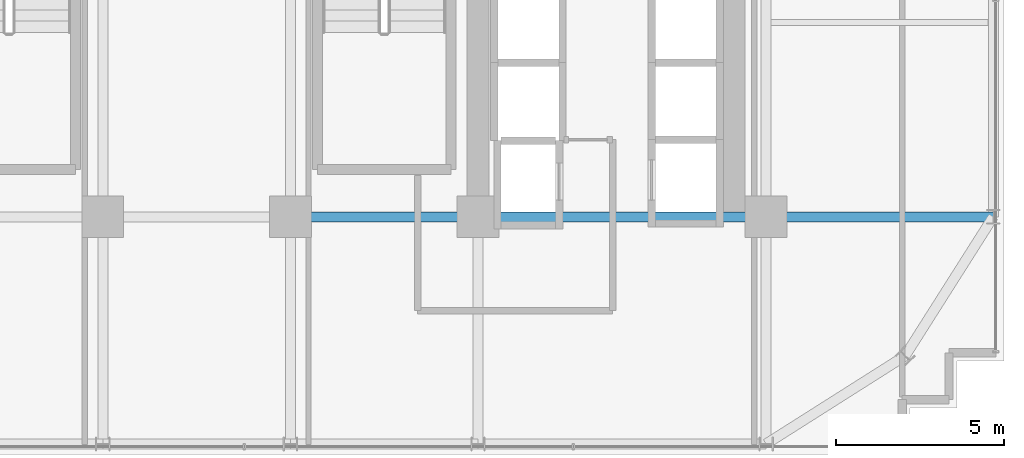
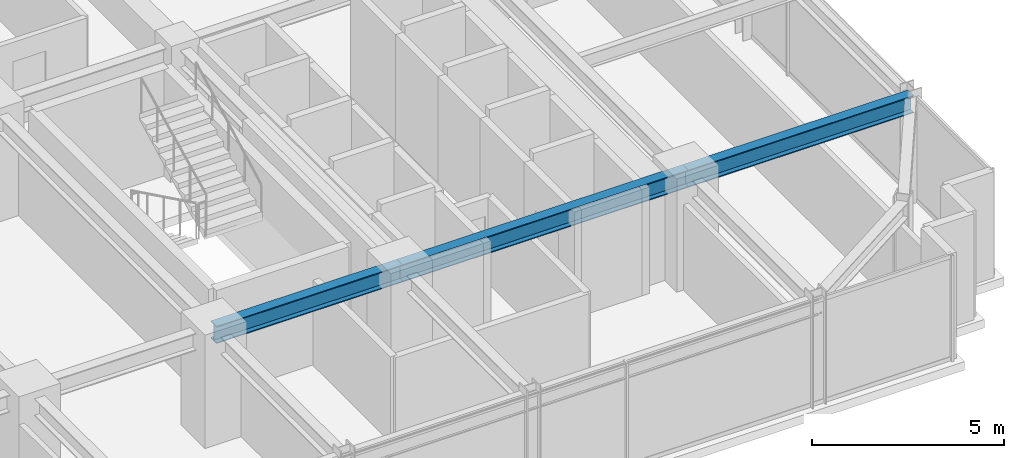
# One storey, part 12 of 32: 3 beams.
"""IFC4 building model written with IfcOpenShell, lengths in metres."""

from ifc_helpers import new_model, si_unit, direction, frame, origin, origin_2d, place, context, subcontext, project, spatial, i_section, extrude, source, transform, mapped, material, material_profile, profile_set, type_object, element, save


model = new_model("IFC4")

# Units and contexts
model_context = context("Model", 3, precision=1e-05, world=origin(), true_north=direction((0.0, 1.0)))
body_context = subcontext(model_context, "Body", "Model", "MODEL_VIEW")
ifc_project = project(units=[si_unit("LENGTHUNIT", "METRE"), si_unit("AREAUNIT", "SQUARE_METRE"), si_unit("VOLUMEUNIT", "CUBIC_METRE"), si_unit("PLANEANGLEUNIT", "RADIAN"), si_unit("MASSUNIT", "GRAM", prefix="KILO")], contexts=[model_context])

# Site, building, storey
site_placement = place(None, origin())
site = spatial("IfcSite", under=ifc_project, at=site_placement, CompositionType="ELEMENT")
building_placement = place(site_placement, origin())
building = spatial("IfcBuilding", under=site, at=building_placement, Name="Nahalor Promenade Grand Hotel", CompositionType="ELEMENT")
storey_placement = place(building_placement, frame((0.0, 0.0, 124.800048828125)))
storey = spatial("IfcBuildingStorey", under=building, at=storey_placement, Name="L31", CompositionType="ELEMENT", Elevation=124.800048828125)

# Beams
ifc_material = material(Name="Steel S355JR", Category="steel")
ifc_material_profile = material_profile(ifc_material, i_section(OverallWidth=0.3, OverallDepth=0.55, WebThickness=0.015, FlangeThickness=0.029, at=origin_2d()), Name="HEB 550")
ifc_profile_set = profile_set([ifc_material_profile], Name="Steel S355JR")
beam_type = type_object("IfcBeamType", Name="Beam-Girder-HEB550", PredefinedType="BEAM", material=ifc_profile_set)
shared_shape_1 = source(origin(), body_context, "Body", "SweptSolid", [
    extrude(i_section(OverallWidth=0.3, OverallDepth=0.55, WebThickness=0.015, FlangeThickness=0.029, at=origin_2d()), origin(), (0.0, 0.0, 1.0), 6.780029296875),
])
beam_1_placement = place(storey_placement, frame((17.0, -17.0, 3.10498046875), z_axis=(1.0, 0.0, 0.0), x_axis=(0.0, 1.0, 0.0)))
element("IfcBeam", 1, at=beam_1_placement, inside=storey, type_object=beam_type, Name="BM-L31-GX-0-6", PredefinedType="BEAM", context=body_context, shape_type="MappedRepresentation", body=[
    mapped(shared_shape_1, transform((0.0, 0.0, 0.0), scale=1.0)),
])
shared_shape_2 = source(origin(), body_context, "Body", "SweptSolid", [
    extrude(i_section(OverallWidth=0.3, OverallDepth=0.55, WebThickness=0.015, FlangeThickness=0.029, at=origin_2d()), origin(), (0.0, 0.0, 1.0), 8.60009765625),
])
beam_2_placement = place(storey_placement, frame((8.39990234375, -17.0, 3.10498046875), z_axis=(1.0, 0.0, 0.0), x_axis=(0.0, 1.0, 0.0)))
element("IfcBeam", 2, at=beam_2_placement, inside=storey, type_object=beam_type, Name="BM-L31-GX-0-5", PredefinedType="BEAM", context=body_context, shape_type="MappedRepresentation", body=[
    mapped(shared_shape_2, transform((0.0, 0.0, 0.0), scale=1.0)),
])
shared_shape_3 = source(origin(), body_context, "Body", "SweptSolid", [
    extrude(i_section(OverallWidth=0.3, OverallDepth=0.55, WebThickness=0.015, FlangeThickness=0.029, at=origin_2d()), origin(), (0.0, 0.0, 1.0), 5.599853515625),
])
beam_3_placement = place(storey_placement, frame((2.800048828125, -17.0, 3.10498046875), z_axis=(1.0, 0.0, 0.0), x_axis=(0.0, 1.0, 0.0)))
element("IfcBeam", 3, at=beam_3_placement, inside=storey, type_object=beam_type, Name="BM-L31-GX-0-4", PredefinedType="BEAM", context=body_context, shape_type="MappedRepresentation", body=[
    mapped(shared_shape_3, transform((0.0, 0.0, 0.0), scale=1.0)),
])

save(model, "model.ifc")
